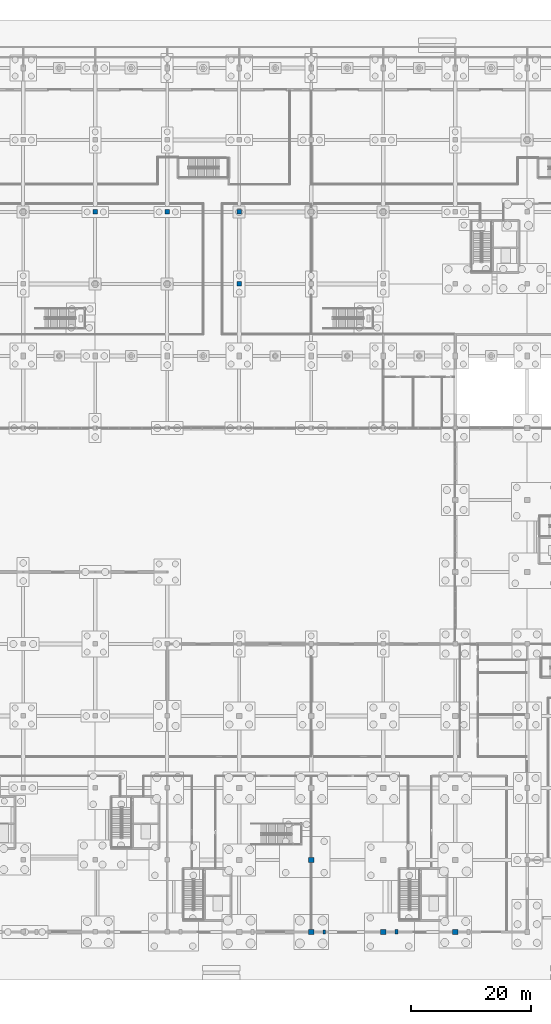
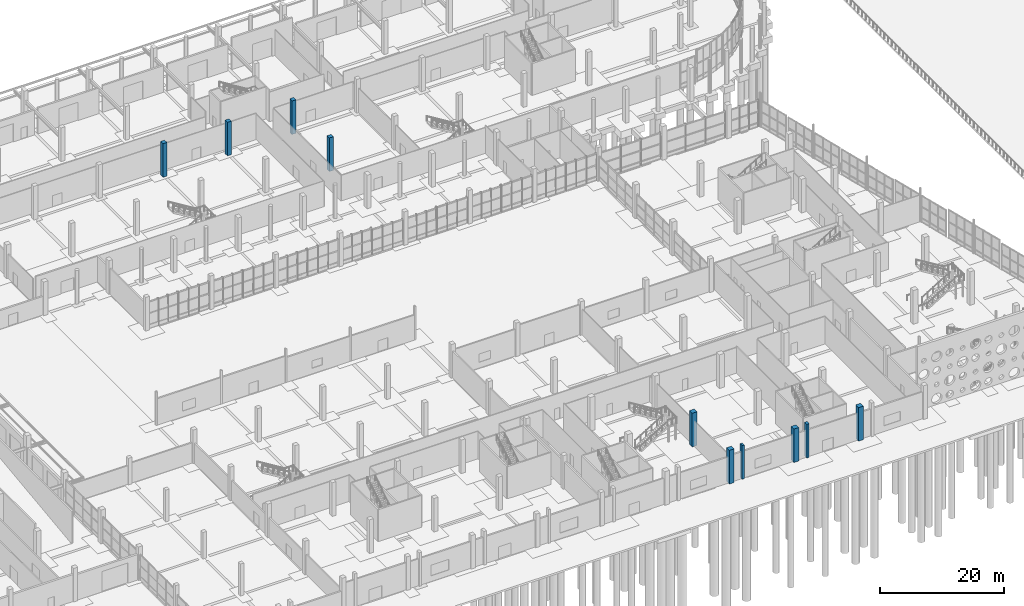
# One storey, part 25 of 117: 10 columns.
"""IFC4 building model written with IfcOpenShell, lengths in metres."""

from ifc_helpers import new_model, si_unit, direction, frame, origin, origin_2d, place, context, subcontext, project, spatial, rectangle, extrude, material, material_profile, profile_set, type_object, element, save


model = new_model("IFC4")

# Units and contexts
model_context = context("Model", 3, precision=1e-05, world=origin(), true_north=direction((0.0, 1.0)))
body_context = subcontext(model_context, "Body", "Model", "MODEL_VIEW")
ifc_project = project(units=[si_unit("LENGTHUNIT", "METRE"), si_unit("AREAUNIT", "SQUARE_METRE"), si_unit("VOLUMEUNIT", "CUBIC_METRE"), si_unit("PLANEANGLEUNIT", "RADIAN"), si_unit("MASSUNIT", "GRAM", prefix="KILO")], contexts=[model_context])

# Site, building, storey
site_placement = place(None, origin())
site = spatial("IfcSite", under=ifc_project, at=site_placement, CompositionType="ELEMENT")
building_placement = place(site_placement, origin())
building = spatial("IfcBuilding", under=site, at=building_placement, Name="Kamomehara Wholesale Market", CompositionType="ELEMENT")
storey_placement = place(building_placement, origin())
storey = spatial("IfcBuildingStorey", under=building, at=storey_placement, Name="L00", CompositionType="ELEMENT", Elevation=0.0)

# Columns
ifc_material_1 = material(Name="Precast concrete Fc45 (C40/50)", Category="concrete")
ifc_material_profile_1 = material_profile(ifc_material_1, rectangle(XDim=0.75, YDim=0.75, at=origin_2d()), Name="PC-COL-750x750")
ifc_profile_set_1 = profile_set([ifc_material_profile_1], Name="Precast concrete Fc45 (C40/50)")
column_type_1 = type_object("IfcColumnType", Name="COL-PC750", PredefinedType="COLUMN", material=ifc_profile_set_1)
for number, where, z_axis, x_axis, name in (
    (1, (96.0, 132.0, 0.0), (0.0, 0.0, 1.0), (1.0, 0.0, 0.0), "Column C-04 L00"),
    (2, (120.0, 120.0, 0.0), (0.0, 0.0, 1.0), (1.0, 0.0, 0.0), "Column C-04 L00"),
    (3, (120.0, 132.0, 0.0), (0.0, 0.0, 1.0), (1.0, 0.0, 0.0), "Column C-04 L00"),
):
    element("IfcColumn", number, at=place(storey_placement, frame(where, z_axis=z_axis, x_axis=x_axis)), inside=storey, type_object=column_type_1, Name=name, PredefinedType="COLUMN", context=body_context, shape_type="SweptSolid", body=[
        extrude(rectangle(XDim=0.75, YDim=0.75, at=origin_2d()), origin(), (0.0, 0.0, 1.0), 6.60009765625),
    ])
ifc_material_2 = material(Name="Precast concrete Fc45 (C40/50)", Category="concrete")
ifc_material_profile_2 = material_profile(ifc_material_2, rectangle(XDim=0.75, YDim=0.75, at=origin_2d()), Name="PC-COL-750x750")
ifc_profile_set_2 = profile_set([ifc_material_profile_2], Name="Precast concrete Fc45 (C40/50)")
column_type_2 = type_object("IfcColumnType", Name="COL-PC750-EXT", PredefinedType="COLUMN", material=ifc_profile_set_2)
column_1_placement = place(storey_placement, frame((108.0, 132.0, 0.0), z_axis=(0.0, 0.0, 1.0), x_axis=(1.0, 0.0, 0.0)))
element("IfcColumn", 4, at=column_1_placement, inside=storey, type_object=column_type_2, Name="Column C-04E L00", PredefinedType="COLUMN", context=body_context, shape_type="SweptSolid", body=[
    extrude(rectangle(XDim=0.75, YDim=0.75, at=origin_2d()), origin(), (0.0, 0.0, 1.0), 6.60009765625),
])
ifc_material_3 = material(Name="Precast concrete Fc45 (C40/50)", Category="concrete")
ifc_material_profile_3 = material_profile(ifc_material_3, rectangle(XDim=0.89990234375, YDim=0.89990234375, at=origin_2d()), Name="PC-COL-900x900")
ifc_profile_set_3 = profile_set([ifc_material_profile_3], Name="Precast concrete Fc45 (C40/50)")
column_type_3 = type_object("IfcColumnType", Name="COL-PC900-EXT", PredefinedType="COLUMN", material=ifc_profile_set_3)
for number, where, z_axis, x_axis, name in (
    (5, (132.0, 12.0, 0.0), (0.0, 0.0, 1.0), (1.0, 0.0, 0.0), "Column C-01E L00"),
    (6, (132.0, 24.0, 0.0), (0.0, 0.0, 1.0), (1.0, 0.0, 0.0), "Column C-01E L00"),
    (7, (144.0, 12.0, 0.0), (0.0, 0.0, 1.0), (1.0, 0.0, 0.0), "Column C-01E L00"),
    (8, (156.0, 12.0, 0.0), (0.0, 0.0, 1.0), (1.0, 0.0, 0.0), "Column C-01E L00"),
):
    element("IfcColumn", number, at=place(storey_placement, frame(where, z_axis=z_axis, x_axis=x_axis)), inside=storey, type_object=column_type_3, Name=name, PredefinedType="COLUMN", context=body_context, shape_type="SweptSolid", body=[
        extrude(rectangle(XDim=0.89990234375, YDim=0.89990234375, at=origin_2d()), origin(), (0.0, 0.0, 1.0), 6.60009765625),
    ])
ifc_material_4 = material(Name="Precast concrete Fc45 (C40/50)", Category="concrete")
ifc_material_profile_4 = material_profile(ifc_material_4, rectangle(XDim=0.39990234375, YDim=0.64990234375, at=origin_2d()), Name="PC-PIL-400x650")
ifc_profile_set_4 = profile_set([ifc_material_profile_4], Name="Precast concrete Fc45 (C40/50)")
column_type_4 = type_object("IfcColumnType", Name="PIL-PC650-EXT", PredefinedType="PILASTER", material=ifc_profile_set_4)
column_2_placement = place(storey_placement, frame((134.199951171875, 12.0, 0.0), z_axis=(0.0, 0.0, 1.0), x_axis=(1.0, 0.0, 0.0)))
element("IfcColumn", 9, at=column_2_placement, inside=storey, type_object=column_type_4, Name="Column PL-01E L00", PredefinedType="PILASTER", context=body_context, shape_type="SweptSolid", body=[
    extrude(rectangle(XDim=0.39990234375, YDim=0.64990234375, at=origin_2d()), origin(), (0.0, 0.0, 1.0), 6.60009765625),
])
ifc_material_5 = material(Name="Precast concrete Fc45 (C40/50)", Category="concrete")
ifc_material_profile_5 = material_profile(ifc_material_5, rectangle(XDim=0.449951171875, YDim=0.75, at=origin_2d()), Name="PC-PIL-450x750")
ifc_profile_set_5 = profile_set([ifc_material_profile_5], Name="Precast concrete Fc45 (C40/50)")
column_type_5 = type_object("IfcColumnType", Name="PIL-PC750-EXT", PredefinedType="PILASTER", material=ifc_profile_set_5)
column_3_placement = place(storey_placement, frame((146.199951171875, 12.0, 0.0), z_axis=(0.0, 0.0, 1.0), x_axis=(1.0, 0.0, 0.0)))
element("IfcColumn", 10, at=column_3_placement, inside=storey, type_object=column_type_5, Name="Column PL-02E L00", PredefinedType="PILASTER", context=body_context, shape_type="SweptSolid", body=[
    extrude(rectangle(XDim=0.449951171875, YDim=0.75, at=origin_2d()), origin(), (0.0, 0.0, 1.0), 6.60009765625),
])

save(model, "model.ifc")
